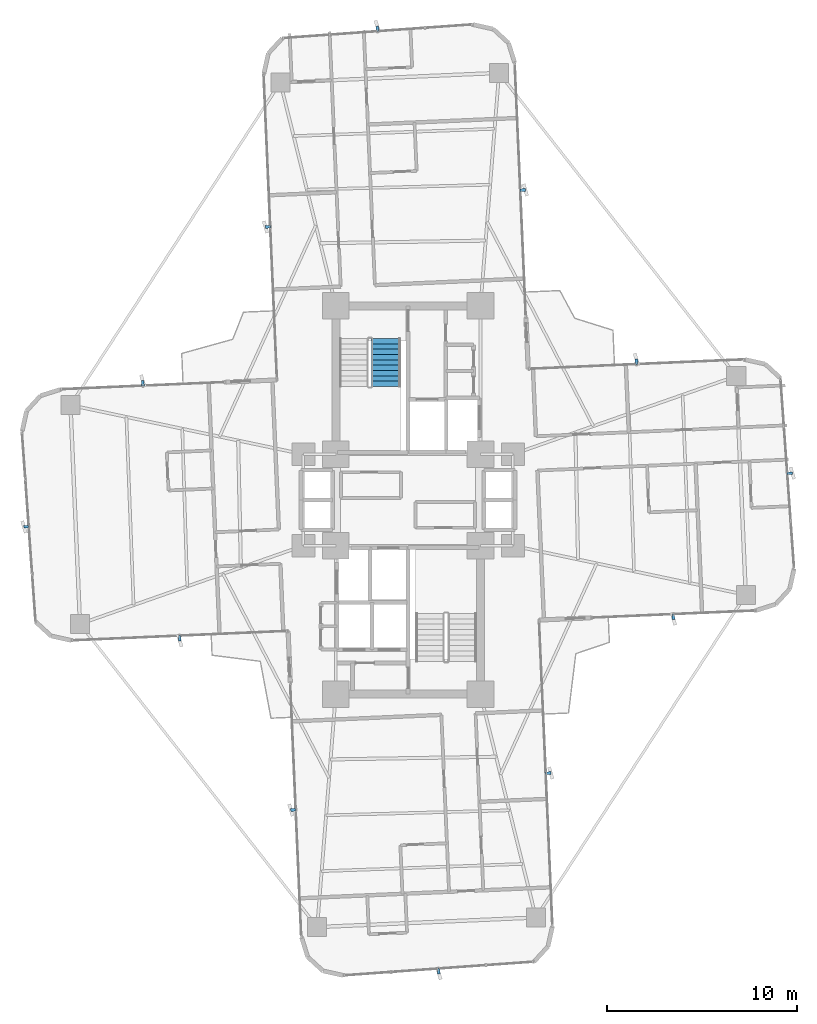
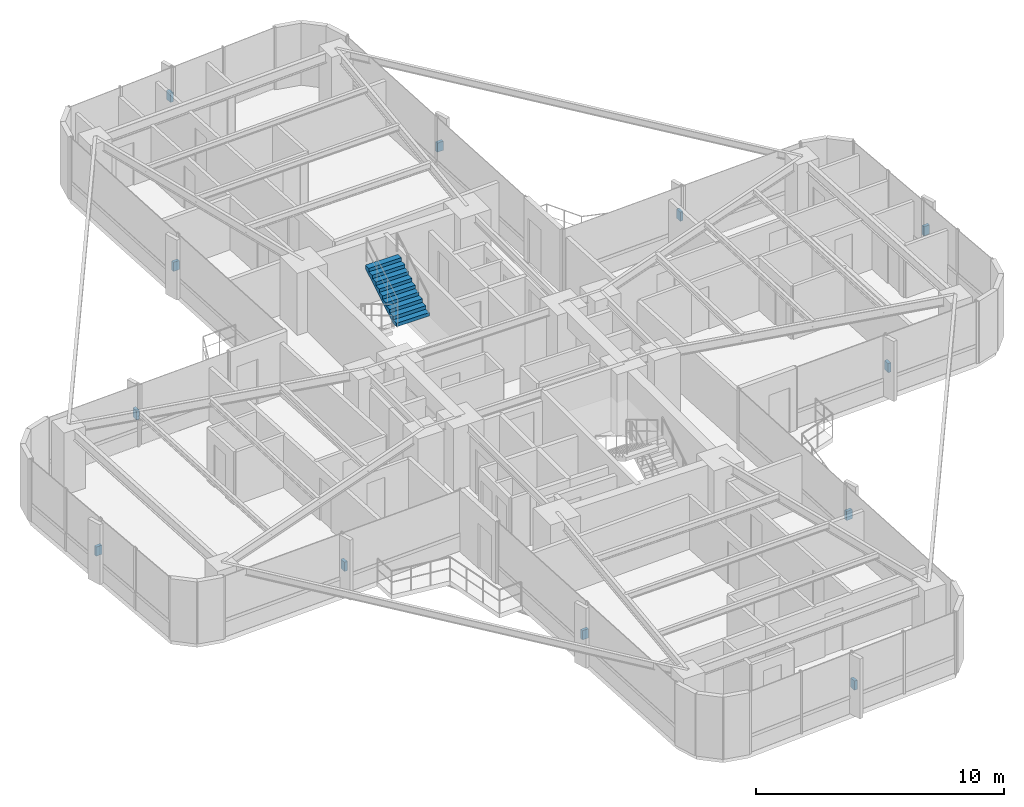
# One storey, part 26 of 27: 12 discrete accessories, 1 stair flight, 1 element without a shape of its own.
"""IFC4 building model written with IfcOpenShell, lengths in metres."""

from ifc_helpers import new_model, si_unit, direction, frame, origin, origin_2d, place, context, subcontext, project, spatial, polyline, rectangle, outline, extrude, source, transform, mapped, material, type_object, element, aggregate, save


model = new_model("IFC4")

# Units and contexts
model_context = context("Model", 3, precision=1e-05, world=origin(), true_north=direction((0.0, 1.0)))
body_context = subcontext(model_context, "Body", "Model", "MODEL_VIEW")
ifc_project = project(units=[si_unit("LENGTHUNIT", "METRE"), si_unit("AREAUNIT", "SQUARE_METRE"), si_unit("VOLUMEUNIT", "CUBIC_METRE"), si_unit("PLANEANGLEUNIT", "RADIAN"), si_unit("MASSUNIT", "GRAM", prefix="KILO")], contexts=[model_context])

# Site, building, storey
site_placement = place(None, origin())
site = spatial("IfcSite", under=ifc_project, at=site_placement, CompositionType="ELEMENT")
building_placement = place(site_placement, origin())
building = spatial("IfcBuilding", under=site, at=building_placement, Name="Sahyath Konkavel Grand Hotel", CompositionType="ELEMENT")
storey_placement = place(building_placement, frame((0.0, 0.0, 103.60009765625)))
storey = spatial("IfcBuildingStorey", under=building, at=storey_placement, Name="L28", CompositionType="ELEMENT", Elevation=103.60009765625)

# Stair, stair flight
ifc_material_1 = material(Name="Concrete C40/50", Category="concrete")
stair_type = type_object("IfcStairType", Name="STR-ST16-335", PredefinedType="HALF_TURN_STAIR", material=ifc_material_1)
stair_placement = place(storey_placement, origin())
stair = element("IfcStair", 1, at=stair_placement, inside=storey, type_object=stair_type, Name="L28 North Core Smokeproof Exit Stair ST-1", PredefinedType="HALF_TURN_STAIR")
stair_flight_type = type_object("IfcStairFlightType", Name="STF-ST16-335", PredefinedType="STRAIGHT", material=ifc_material_1)
stair_flight_placement = place(storey_placement, frame((-1.159912109375, 5.9599609375, 1.6748046875), z_axis=(0.0, 0.0, 1.0), x_axis=(0.0, 1.0, 0.0)))
stair_flight = element("IfcStairFlight", 2, at=stair_flight_placement, type_object=stair_flight_type, Name="ST-1 flight 2", NumberOfRisers=10, NumberOfTreads=9, PredefinedType="STRAIGHT", RiserHeight=0.1675, TreadLength=0.28, context=body_context, shape_type="SweptSolid", body=[
    extrude(outline(polyline([(0.0, 0.0), (0.0, 0.16748046875), (0.280029296875, 0.16748046875), (0.280029296875, 0.3349609375), (0.56005859375, 0.3349609375), (0.56005859375, 0.50244140625), (0.840087890625, 0.50244140625), (0.840087890625, 0.669921875), (1.1201171875, 0.669921875), (1.1201171875, 0.83740234375), (1.39990234375, 0.83740234375), (1.39990234375, 1.0048828125), (1.679931640625, 1.0048828125), (1.679931640625, 1.172607421875), (1.9599609375, 1.172607421875), (1.9599609375, 1.340087890625), (2.239990234375, 1.340087890625), (2.239990234375, 1.507568359375), (2.52001953125, 1.507568359375), (2.52001953125, 1.675048828125), (2.52001953125, 1.332763671875), (0.2919921875, 0.0), (0.0, 0.0)])), frame((0.0, 0.760009765625, 0.0), z_axis=(0.0, -1.0, 0.0), x_axis=(1.0, 0.0, 0.0)), (0.0, 0.0, 1.0), 1.52001953125),
])
aggregate(stair, [stair_flight])

# Discrete accessories
ifc_material_2 = material(Name="Steel E350", Category="steel")
discrete_accessory_type = type_object("IfcDiscreteAccessoryType", Name="ACC-FIN-BRACKET", PredefinedType="BRACKET", material=ifc_material_2)
shared_shape = source(origin(), body_context, "Body", "SweptSolid", [
    extrude(rectangle(XDim=0.280029296875, YDim=0.139892578125, at=origin_2d()), origin(), (0.0, 0.0, 1.0), 0.449951171875),
])
for number, where, z_axis, x_axis, name in (
    (3, (13.9306640625, -6.128173828125, 1.2998046875), (0.0, 0.0, 1.0), (0.043601950678, -0.999048982732, 0.0), "L28 Fin Support Bracket F0-1"),
    (4, (20.047119140625, 1.404296875, 1.2998046875), (0.0, 0.0, 1.0), (0.997435789037, 0.071567078661, 0.0), "L28 Fin Support Bracket F4-2"),
    (5, (11.99462890625, 7.26025390625, 1.2998046875), (0.0, 0.0, 1.0), (-0.043619387365, 0.999048221582, 0.0), "L28 Fin Support Bracket F7-1"),
    (6, (6.025634765625, 16.2783203125, 1.2998046875), (0.0, 0.0, 1.0), (0.999048221582, 0.043619387365, 0.0), "L28 Fin Support Bracket F8-1"),
    (7, (-1.609375, 24.74267578125, 1.2998046875), (0.0, 0.0, 1.0), (-0.071567078661, 0.997435789037, 0.0), "L28 Fin Support Bracket F12-2"),
    (8, (-7.362548828125, 14.342529296875, 1.2998046875), (0.0, 0.0, 1.0), (-0.999048221582, -0.043619387365, 0.0), "L28 Fin Support Bracket F15-1"),
    (9, (-13.9306640625, 6.128173828125, 1.2998046875), (0.0, 0.0, 1.0), (-0.043601950678, 0.999048982732, 0.0), "L28 Fin Support Bracket F16-1"),
    (10, (-20.047119140625, -1.404296875, 1.2998046875), (0.0, 0.0, 1.0), (-0.997435789037, -0.071567078661, 0.0), "L28 Fin Support Bracket F20-2"),
    (11, (-11.99462890625, -7.26025390625, 1.2998046875), (0.0, 0.0, 1.0), (0.043619387365, -0.999048221582, 0.0), "L28 Fin Support Bracket F23-1"),
    (12, (-6.025634765625, -16.2783203125, 1.2998046875), (0.0, 0.0, 1.0), (-0.999048221582, -0.043619387365, 0.0), "L28 Fin Support Bracket F24-1"),
    (13, (1.609375, -24.74267578125, 1.2998046875), (0.0, 0.0, 1.0), (0.071567078661, -0.997435789037, 0.0), "L28 Fin Support Bracket F28-2"),
    (14, (7.362548828125, -14.342529296875, 1.2998046875), (0.0, 0.0, 1.0), (0.999048221582, 0.043619387365, 0.0), "L28 Fin Support Bracket F31-1"),
):
    element("IfcDiscreteAccessory", number, at=place(storey_placement, frame(where, z_axis=z_axis, x_axis=x_axis)), inside=storey, type_object=discrete_accessory_type, Name=name, PredefinedType="BRACKET", context=body_context, shape_type="MappedRepresentation", body=[
        mapped(shared_shape, transform((0.0, 0.0, 0.0), scale=1.0)),
    ])

save(model, "model.ifc")
